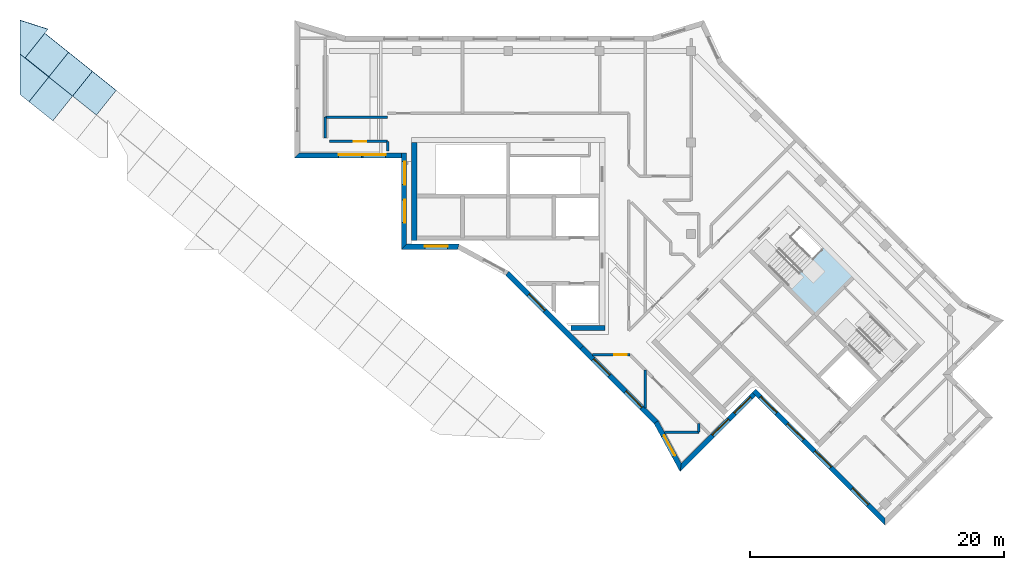
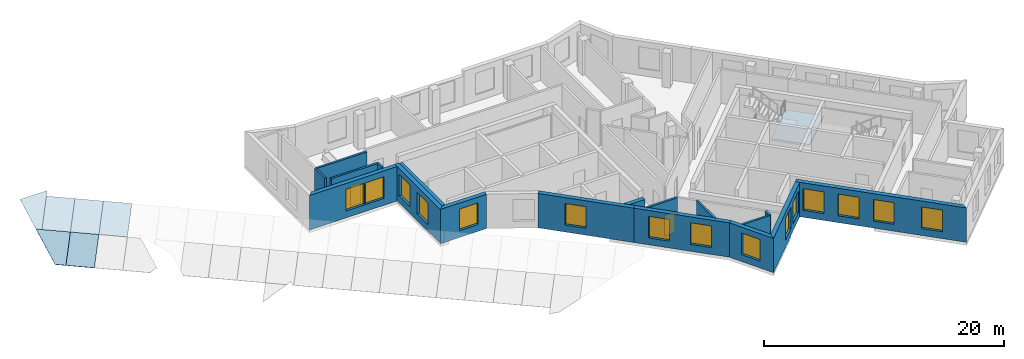
# One storey, part 2 of 8: 18 walls, 15 windows, 6 plates, 2 doors, 1 slab, 17 openings, 1 element without a shape of its own.
"""IFC4 building model written with IfcOpenShell, lengths in metres."""

from ifc_helpers import new_model, si_unit, direction, frame, frame_2d, origin, place, context, subcontext, project, spatial, polyline, rectangle, outline, extrude, material, layer, layer_set, type_object, element, fill, aggregate, save


model = new_model("IFC4")

# Units and contexts
model_context = context("Model", 3, precision=1e-05, world=origin(), true_north=direction((0.0, 1.0)))
body_context = subcontext(model_context, "Body", "Model", "MODEL_VIEW")
ifc_project = project(units=[si_unit("LENGTHUNIT", "METRE"), si_unit("AREAUNIT", "SQUARE_METRE"), si_unit("VOLUMEUNIT", "CUBIC_METRE"), si_unit("PLANEANGLEUNIT", "RADIAN"), si_unit("MASSUNIT", "GRAM", prefix="KILO")], contexts=[model_context])

# Site, building, storey
site_placement = place(None, origin())
site = spatial("IfcSite", under=ifc_project, at=site_placement, CompositionType="ELEMENT")
building_placement = place(site_placement, origin())
building = spatial("IfcBuilding", under=site, at=building_placement, Name="Windrow Commons", CompositionType="ELEMENT")
storey_placement = place(building_placement, frame((0.0, 0.0, 298.2)))
storey = spatial("IfcBuildingStorey", under=building, at=storey_placement, Name="L81", CompositionType="ELEMENT", Elevation=298.2)

# Stair, slab
ifc_material_1 = material(Name="Concrete C40/50", Category="concrete")
stair_type = type_object("IfcStairType", Name="Core stair", PredefinedType="HALF_TURN_STAIR", material=ifc_material_1)
stair_placement = place(storey_placement, origin())
stair = element("IfcStair", 1, at=stair_placement, inside=storey, type_object=stair_type, Name="L81 Exit stair B1 core B", PredefinedType="HALF_TURN_STAIR")
ifc_material_2 = material(Name="Concrete C40/50", Category="concrete")
ifc_layer_1 = layer(ifc_material_2, 0.2)
ifc_layer_set_1 = layer_set([ifc_layer_1], Name="Core stair landing")
slab_type = type_object("IfcSlabType", Name="Core stair landing", PredefinedType="LANDING", material=ifc_layer_set_1)
slab_placement = place(storey_placement, frame((0.0, 0.0, 1.7)))
slab = element("IfcSlab", 2, at=slab_placement, type_object=slab_type, Name="ST-B1 landing 1", PredefinedType="LANDING", context=body_context, shape_type="SweptSolid", body=[
    extrude(outline(polyline([(86.5539, 53.4738), (88.8874, 51.1403), (91.9986, 54.2516), (89.6652, 56.5851), (86.5539, 53.4738)])), origin(), (0.0, 0.0, 1.0), 0.2),
])
aggregate(stair, [slab])

# Plates
ifc_material_3 = material(Name="Laminated glass in aluminium frame", Category="aluminium")
ifc_layer_2 = layer(ifc_material_3, 0.04)
ifc_layer_set_2 = layer_set([ifc_layer_2], Name="Crown glazing panel 2400x3000")
plate_type = type_object("IfcPlateType", Name="Crown glazing panel 2400x3000", PredefinedType="SHEET", material=ifc_layer_set_2)
plate_1_placement = place(storey_placement, frame((28.954, 66.519, 1.0305), z_axis=(-0.3493165936, -0.4366690422, 0.8290344173), x_axis=(-0.7808850696, 0.6246747219, 0.0)))
element("IfcPlate", 3, at=plate_1_placement, inside=storey, type_object=plate_type, Name="Crown glazing 36", PredefinedType="SHEET", context=body_context, shape_type="SweptSolid", body=[
    extrude(outline(polyline([(0.0, 0.0), (2.4, 0.0), (2.3999, -3.0), (-0.0001, -3.0), (0.0, 0.0)])), origin(), (0.0, 0.0, -1.0), 0.04),
])
plate_2_placement = place(storey_placement, frame((32.3818, 66.9618, 2.7081), z_axis=(-0.349330801, -0.4366576763, 0.8290344174), x_axis=(-0.7808647444, 0.6247001288, 0.0)))
element("IfcPlate", 4, at=plate_2_placement, inside=storey, type_object=plate_type, Name="Crown glazing 54", PredefinedType="SHEET", context=body_context, shape_type="SweptSolid", body=[
    extrude(outline(polyline([(0.0, 0.0), (2.4, 0.0), (2.4, -3.0), (0.0, -3.0), (0.0, 0.0)])), origin(), (0.0, 0.0, -1.0), 0.04),
])
plate_3_placement = place(storey_placement, frame((30.5077, 68.4611, 2.7081), z_axis=(-0.3493199284, -0.4366586479, 0.829038487), x_axis=(-0.7808818918, 0.6246786943, -7.5419e-06)))
element("IfcPlate", 5, at=plate_3_placement, inside=storey, type_object=plate_type, Name="Crown glazing 55", PredefinedType="SHEET", context=body_context, shape_type="SweptSolid", body=[
    extrude(outline(polyline([(0.0, 0.0), (2.4, 0.0), (2.4, -3.0001), (-0.0001, -3.0), (0.0, 0.0)])), origin(), (0.0, 0.0, -1.0), 0.04),
])
plate_4_placement = place(storey_placement, frame((28.6336, 69.9603, 2.7081), z_axis=(-0.3493199284, -0.4366586479, 0.829038487), x_axis=(-0.7808679222, 0.6246961565, 7.5417e-06)))
element("IfcPlate", 6, at=plate_4_placement, inside=storey, type_object=plate_type, Name="Crown glazing 56", PredefinedType="SHEET", context=body_context, shape_type="SweptSolid", body=[
    extrude(outline(polyline([(0.0, 0.0), (2.4, 0.0), (2.4, -3.0), (0.0001, -3.0001), (0.0, 0.0)])), origin(), (0.0, 0.0, -1.0), 0.04),
])
plate_5_placement = place(storey_placement, frame((27.0799, 68.0182, 1.0305), z_axis=(-0.3493411225, -0.4366580839, 0.8290298534), x_axis=(-0.7808354338, 0.6247367645, 2.22327e-05)))
element("IfcPlate", 7, at=plate_5_placement, inside=storey, type_object=plate_type, Name="Crown glazing 342", PredefinedType="SHEET", context=body_context, shape_type="SweptSolid", body=[
    extrude(outline(polyline([(0.0, 0.0), (0.913, 0.0), (2.9028, -2.9999), (0.0002, -3.0), (0.0, 0.0)])), origin(), (0.0, 0.0, -1.0), 0.04),
])
plate_6_placement = place(storey_placement, frame((26.7595, 71.4596, 2.7081), z_axis=(-0.3493444923, -0.4366523426, 0.8290314574), x_axis=(-0.7808626395, 0.6247027597, -1.46422e-05)))
element("IfcPlate", 8, at=plate_6_placement, inside=storey, type_object=plate_type, Name="Crown glazing 344", PredefinedType="SHEET", context=body_context, shape_type="SweptSolid", body=[
    extrude(outline(polyline([(0.0, 0.0), (0.5026, 0.0), (2.164, -2.5049), (0.0, -3.5007), (0.0, 0.0)])), origin(), (0.0, 0.0, -1.0), 0.04),
])

# Wall
ifc_material_4 = material(Name="Blockwork partition", Category="masonry")
ifc_layer_3 = layer(ifc_material_4, 0.2)
ifc_layer_set_3 = layer_set([ifc_layer_3], Name="IW-CORRIDOR-200")
wall_type_1 = type_object("IfcWallType", Name="IW-CORRIDOR-200", PredefinedType="PARTITIONING", material=ifc_layer_set_3)
wall_1_placement = place(storey_placement, frame((50.4, 66.8, 0.0), z_axis=(0.0, 0.0, 1.0), x_axis=(1.0, 0.0, 0.0)))
element("IfcWall", 9, at=wall_1_placement, inside=storey, type_object=wall_type_1, Name="W-L81-W014", PredefinedType="PARTITIONING", context=body_context, shape_type="SweptSolid", body=[
    extrude(rectangle(XDim=4.9, YDim=0.2, at=frame_2d((2.45, 0.0))), origin(), (0.0, 0.0, 1.0), 3.5),
])

# Wall, opening, door
wall_2_placement = place(storey_placement, frame((50.75, 64.9, 0.0), z_axis=(0.0, 0.0, 1.0), x_axis=(1.0, 0.0, 0.0)))
wall_2 = element("IfcWall", 10, at=wall_2_placement, inside=storey, type_object=wall_type_1, Name="W-L81-W019", PredefinedType="PARTITIONING", context=body_context, shape_type="SweptSolid", body=[
    extrude(rectangle(XDim=4.55, YDim=0.2, at=frame_2d((2.275, 0.0))), origin(), (0.0, 0.0, 1.0), 3.5),
])
opening_1_placement = place(wall_2_placement, frame((1.8804, 0.0, 0.0)))
opening_1 = element("IfcOpeningElement", 11, at=opening_1_placement, cuts=wall_2, Name="Opening D410F", PredefinedType="OPENING", context=body_context, shape_type="SweptSolid", body=[
    extrude(rectangle(XDim=1.0, YDim=2.1, at=frame_2d((0.5, 1.05))), frame((0.0, 0.11, 0.0), z_axis=(0.0, -1.0, 0.0), x_axis=(1.0, 0.0, 0.0)), (0.0, 0.0, 1.0), 0.22),
])
ifc_material_5 = material(Name="Timber door leaf", Category="wood")
door_type = type_object("IfcDoorType", Name="DT-SERVICE-1000", OperationType="SINGLE_SWING_LEFT", PredefinedType="DOOR", material=ifc_material_5)
door_1_placement = place(opening_1_placement, origin())
door_1 = element("IfcDoor", 12, at=door_1_placement, inside=storey, type_object=door_type, Name="D-L81-D004", OperationType="SINGLE_SWING_RIGHT", OverallHeight=2.1, OverallWidth=1.0, PredefinedType="DOOR", context=body_context, shape_type="SweptSolid", body=[
    extrude(rectangle(XDim=1.0, YDim=2.1, at=frame_2d((0.5, 1.05))), frame((0.0, 0.025, 0.0), z_axis=(0.0, -1.0, 0.0), x_axis=(1.0, 0.0, 0.0)), (0.0, 0.0, 1.0), 0.05),
])
fill(opening_1, door_1)

# Walls
wall_3_placement = place(storey_placement, frame((50.4, 65.15, 0.0), z_axis=(0.0, 0.0, 1.0), x_axis=(0.0, 1.0, 0.0)))
element("IfcWall", 13, at=wall_3_placement, inside=storey, type_object=wall_type_1, Name="W-L81-W041", PredefinedType="PARTITIONING", context=body_context, shape_type="SweptSolid", body=[
    extrude(rectangle(XDim=1.65, YDim=0.2, at=frame_2d((0.825, 0.0))), origin(), (0.0, 0.0, 1.0), 3.5),
])
wall_4_placement = place(storey_placement, frame((55.3, 64.15, 0.0), z_axis=(0.0, 0.0, 1.0), x_axis=(0.0, 1.0, 0.0)))
element("IfcWall", 14, at=wall_4_placement, inside=storey, type_object=wall_type_1, Name="W-L81-W045", PredefinedType="PARTITIONING", context=body_context, shape_type="SweptSolid", body=[
    extrude(rectangle(XDim=0.75, YDim=0.2, at=frame_2d((0.375, 0.0))), origin(), (0.0, 0.0, 1.0), 3.5),
])

# Wall, opening, door
wall_5_placement = place(storey_placement, frame((71.4216, 48.1, 0.0), z_axis=(0.0, 0.0, 1.0), x_axis=(1.0, 0.0, 0.0)))
wall_5 = element("IfcWall", 15, at=wall_5_placement, inside=storey, type_object=wall_type_1, Name="W-L81-W026", PredefinedType="PARTITIONING", context=body_context, shape_type="SweptSolid", body=[
    extrude(outline(polyline([(0.0, -0.1), (2.9704, -0.1), (2.9704, 0.1), (0.0, 0.1), (0.0, -0.1)])), origin(), (0.0, 0.0, 1.0), 3.5),
])
opening_2_placement = place(wall_5_placement, frame((1.7096, 0.0, 0.0)))
opening_2 = element("IfcOpeningElement", 16, at=opening_2_placement, cuts=wall_5, Name="Opening D410F", PredefinedType="OPENING", context=body_context, shape_type="SweptSolid", body=[
    extrude(rectangle(XDim=1.0, YDim=2.1, at=frame_2d((0.5, 1.05))), frame((0.0, 0.11, 0.0), z_axis=(0.0, -1.0, 0.0), x_axis=(1.0, 0.0, 0.0)), (0.0, 0.0, 1.0), 0.22),
])
door_2_placement = place(opening_2_placement, origin())
door_2 = element("IfcDoor", 17, at=door_2_placement, inside=storey, type_object=door_type, Name="D-L81-D000", OperationType="SINGLE_SWING_LEFT", OverallHeight=2.1, OverallWidth=1.0, PredefinedType="DOOR", context=body_context, shape_type="SweptSolid", body=[
    extrude(rectangle(XDim=1.0, YDim=2.1, at=frame_2d((0.5, 1.05))), frame((0.0, 0.025, 0.0), z_axis=(0.0, -1.0, 0.0), x_axis=(1.0, 0.0, 0.0)), (0.0, 0.0, 1.0), 0.05),
])
fill(opening_2, door_2)

# Walls
ifc_material_6 = material(Name="Blockwork partition", Category="masonry")
ifc_layer_4 = layer(ifc_material_6, 0.2)
ifc_layer_set_4 = layer_set([ifc_layer_4], Name="IW-PARTY-200")
wall_type_2 = type_object("IfcWallType", Name="IW-PARTY-200", PredefinedType="PARTITIONING", material=ifc_layer_set_4)
wall_6_placement = place(storey_placement, frame((77.1008, 42.0, 0.0), z_axis=(0.0, 0.0, 1.0), x_axis=(1.0, 0.0, 0.0)))
element("IfcWall", 18, at=wall_6_placement, inside=storey, type_object=wall_type_2, Name="W-L81-W028", PredefinedType="PARTITIONING", context=body_context, shape_type="SweptSolid", body=[
    extrude(rectangle(XDim=2.6992, YDim=0.2, at=frame_2d((1.3496, 0.0))), origin(), (0.0, 0.0, 1.0), 3.5),
])
wall_7_placement = place(storey_placement, frame((79.8, 42.0, 0.0), z_axis=(0.0, 0.0, 1.0), x_axis=(0.0, 1.0, 0.0)))
element("IfcWall", 19, at=wall_7_placement, inside=storey, type_object=wall_type_2, Name="W-L81-W049", PredefinedType="PARTITIONING", context=body_context, shape_type="SweptSolid", body=[
    extrude(rectangle(XDim=0.692, YDim=0.2, at=frame_2d((0.346, 0.0))), origin(), (0.0, 0.0, 1.0), 3.5),
])
wall_8_placement = place(storey_placement, frame((75.6, 43.9216, 0.0), z_axis=(0.0, 0.0, 1.0), x_axis=(0.0, 1.0, 0.0)))
element("IfcWall", 20, at=wall_8_placement, inside=storey, type_object=wall_type_2, Name="W-L81-W025", PredefinedType="PARTITIONING", context=body_context, shape_type="SweptSolid", body=[
    extrude(outline(polyline([(0.0, -0.1), (2.9704, -0.1), (2.9704, 0.1), (0.0, 0.1), (0.0, -0.1)])), origin(), (0.0, 0.0, 1.0), 3.5),
])
ifc_material_7 = material(Name="Concrete C40/50", Category="concrete")
ifc_layer_5 = layer(ifc_material_7, 0.4)
ifc_layer_set_5 = layer_set([ifc_layer_5], Name="RC CORE WALL 400 C40/50")
wall_type_3 = type_object("IfcWallType", Name="RC CORE WALL 400 C40/50", PredefinedType="SHEAR", material=ifc_layer_set_5)
wall_9_placement = place(storey_placement, frame((69.7458, 50.2, -0.3), z_axis=(0.0, 0.0, 1.0), x_axis=(1.0, 0.0, 0.0)))
element("IfcWall", 21, at=wall_9_placement, inside=storey, type_object=wall_type_3, Name="Core A wall outer-S", PredefinedType="SHEAR", context=body_context, shape_type="SweptSolid", body=[
    extrude(outline(polyline([(0.0, 0.0), (2.6542, 0.0), (2.6542, 3.1), (0.0, 3.1), (0.0, 0.0)])), frame((0.0, 0.2, 0.0), z_axis=(0.0, -1.0, 0.0), x_axis=(1.0, 0.0, 0.0)), (0.0, 0.0, 1.0), 0.4),
])
wall_10_placement = place(storey_placement, frame((57.4, 57.1, -0.3), z_axis=(0.0, 0.0, 1.0), x_axis=(0.0, 1.0, 0.0)))
element("IfcWall", 22, at=wall_10_placement, inside=storey, type_object=wall_type_3, Name="Core A wall outer-W", PredefinedType="SHEAR", context=body_context, shape_type="SweptSolid", body=[
    extrude(outline(polyline([(0.0, 0.0), (7.7, 0.0), (7.7, 3.1), (0.0, 3.1), (0.0, 0.0)])), frame((0.0, 0.2, 0.0), z_axis=(0.0, -1.0, 0.0), x_axis=(1.0, 0.0, 0.0)), (0.0, 0.0, 1.0), 0.4),
])

# Wall, openings, windows
ifc_material_8 = material(Name="Standing seam zinc cladding on insulated masonry backing", Category="masonry")
ifc_layer_6 = layer(ifc_material_8, 0.4)
ifc_layer_set_6 = layer_set([ifc_layer_6], Name="Zinc clad crown wall 400")
wall_type_4 = type_object("IfcWallType", Name="Zinc clad crown wall 400", PredefinedType="SOLIDWALL", material=ifc_layer_set_6)
wall_11_placement = place(storey_placement, frame((48.167, 63.8, 0.0), z_axis=(0.0, 0.0, 1.0), x_axis=(1.0, 0.0, 0.0)))
wall_11 = element("IfcWall", 23, at=wall_11_placement, inside=storey, type_object=wall_type_4, Name="Brick facade wall L81 15", PredefinedType="SOLIDWALL", context=body_context, shape_type="SweptSolid", body=[
    extrude(outline(polyline([(-0.2, -0.2), (8.233, -0.2), (8.233, 0.2), (0.2, 0.2), (-0.2, -0.2)])), origin(), (0.0, 0.0, 1.0), 3.5),
])
opening_3_placement = place(wall_11_placement, frame((3.283, 0.0, 0.7)))
opening_3 = element("IfcOpeningElement", 24, at=opening_3_placement, cuts=wall_11, Name="Opening W6", PredefinedType="OPENING", context=body_context, shape_type="SweptSolid", body=[
    extrude(rectangle(XDim=1.8, YDim=2.2, at=frame_2d((0.9, 1.1))), frame((0.0, 0.21, 0.0), z_axis=(0.0, -1.0, 0.0), x_axis=(1.0, 0.0, 0.0)), (0.0, 0.0, 1.0), 0.42),
])
opening_4_placement = place(wall_11_placement, frame((5.183, 0.0, 0.7)))
opening_4 = element("IfcOpeningElement", 25, at=opening_4_placement, cuts=wall_11, Name="Opening W6", PredefinedType="OPENING", context=body_context, shape_type="SweptSolid", body=[
    extrude(rectangle(XDim=1.8, YDim=2.2, at=frame_2d((0.9, 1.1))), frame((0.0, 0.21, 0.0), z_axis=(0.0, -1.0, 0.0), x_axis=(1.0, 0.0, 0.0)), (0.0, 0.0, 1.0), 0.42),
])
ifc_material_9 = material(Name="Clear float glass in anodised aluminium frame", Category="aluminium")
window_type = type_object("IfcWindowType", Name="Window W6 crown 1800x2200", PartitioningType="SINGLE_PANEL", PredefinedType="WINDOW", material=ifc_material_9)
window_1_placement = place(opening_3_placement, origin())
window_1 = element("IfcWindow", 26, at=window_1_placement, inside=storey, type_object=window_type, Name="Window L81 15.1", OverallHeight=2.2, OverallWidth=1.8, PartitioningType="SINGLE_PANEL", PredefinedType="WINDOW", context=body_context, shape_type="SweptSolid", body=[
    extrude(rectangle(XDim=1.8, YDim=2.2, at=frame_2d((0.9, 1.1))), frame((0.0, 0.08, 0.0), z_axis=(0.0, -1.0, 0.0), x_axis=(1.0, 0.0, 0.0)), (0.0, 0.0, 1.0), 0.06),
])
fill(opening_3, window_1)
window_2_placement = place(opening_4_placement, origin())
window_2 = element("IfcWindow", 27, at=window_2_placement, inside=storey, type_object=window_type, Name="Window L81 15.2", OverallHeight=2.2, OverallWidth=1.8, PartitioningType="SINGLE_PANEL", PredefinedType="WINDOW", context=body_context, shape_type="SweptSolid", body=[
    extrude(rectangle(XDim=1.8, YDim=2.2, at=frame_2d((0.9, 1.1))), frame((0.0, 0.08, 0.0), z_axis=(0.0, -1.0, 0.0), x_axis=(1.0, 0.0, 0.0)), (0.0, 0.0, 1.0), 0.06),
])
fill(opening_4, window_2)

wall_12_placement = place(storey_placement, frame((56.6, 63.8, 0.0), z_axis=(0.0, 0.0, 1.0), x_axis=(0.0, -1.0, 0.0)))
wall_12 = element("IfcWall", 28, at=wall_12_placement, inside=storey, type_object=wall_type_4, Name="Brick facade wall L81 16", PredefinedType="SOLIDWALL", context=body_context, shape_type="SweptSolid", body=[
    extrude(outline(polyline([(-0.2, -0.2), (7.4, -0.2), (7.0, 0.2), (-0.2, 0.2), (-0.2, -0.2)])), origin(), (0.0, 0.0, 1.0), 3.5),
])
opening_5_placement = place(wall_12_placement, frame((0.5, 0.0, 0.7)))
opening_5 = element("IfcOpeningElement", 29, at=opening_5_placement, cuts=wall_12, Name="Opening W6", PredefinedType="OPENING", context=body_context, shape_type="SweptSolid", body=[
    extrude(rectangle(XDim=1.8, YDim=2.2, at=frame_2d((0.9, 1.1))), frame((0.0, 0.21, 0.0), z_axis=(0.0, -1.0, 0.0), x_axis=(1.0, 0.0, 0.0)), (0.0, 0.0, 1.0), 0.42),
])
opening_6_placement = place(wall_12_placement, frame((3.5, 0.0, 0.7)))
opening_6 = element("IfcOpeningElement", 30, at=opening_6_placement, cuts=wall_12, Name="Opening W6", PredefinedType="OPENING", context=body_context, shape_type="SweptSolid", body=[
    extrude(rectangle(XDim=1.8, YDim=2.2, at=frame_2d((0.9, 1.1))), frame((0.0, 0.21, 0.0), z_axis=(0.0, -1.0, 0.0), x_axis=(1.0, 0.0, 0.0)), (0.0, 0.0, 1.0), 0.42),
])
window_3_placement = place(opening_5_placement, origin())
window_3 = element("IfcWindow", 31, at=window_3_placement, inside=storey, type_object=window_type, Name="Window L81 16.1", OverallHeight=2.2, OverallWidth=1.8, PartitioningType="SINGLE_PANEL", PredefinedType="WINDOW", context=body_context, shape_type="SweptSolid", body=[
    extrude(rectangle(XDim=1.8, YDim=2.2, at=frame_2d((0.9, 1.1))), frame((0.0, 0.08, 0.0), z_axis=(0.0, -1.0, 0.0), x_axis=(1.0, 0.0, 0.0)), (0.0, 0.0, 1.0), 0.06),
])
fill(opening_5, window_3)
window_4_placement = place(opening_6_placement, origin())
window_4 = element("IfcWindow", 32, at=window_4_placement, inside=storey, type_object=window_type, Name="Window L81 16.2", OverallHeight=2.2, OverallWidth=1.8, PartitioningType="SINGLE_PANEL", PredefinedType="WINDOW", context=body_context, shape_type="SweptSolid", body=[
    extrude(rectangle(XDim=1.8, YDim=2.2, at=frame_2d((0.9, 1.1))), frame((0.0, 0.08, 0.0), z_axis=(0.0, -1.0, 0.0), x_axis=(1.0, 0.0, 0.0)), (0.0, 0.0, 1.0), 0.06),
])
fill(opening_6, window_4)

# Wall, opening, window
wall_13_placement = place(storey_placement, frame((56.6, 56.6, 0.0), z_axis=(0.0, 0.0, 1.0), x_axis=(1.0, 0.0, 0.0)))
wall_13 = element("IfcWall", 33, at=wall_13_placement, inside=storey, type_object=wall_type_4, Name="Brick facade wall L81 17", PredefinedType="SOLIDWALL", context=body_context, shape_type="SweptSolid", body=[
    extrude(outline(polyline([(-0.2, -0.2), (4.2164, -0.2), (4.3177, 0.2), (0.2, 0.2), (-0.2, -0.2)])), origin(), (0.0, 0.0, 1.0), 3.5),
])
opening_7_placement = place(wall_13_placement, frame((1.6335, 0.0, 0.7)))
opening_7 = element("IfcOpeningElement", 34, at=opening_7_placement, cuts=wall_13, Name="Opening W6", PredefinedType="OPENING", context=body_context, shape_type="SweptSolid", body=[
    extrude(rectangle(XDim=1.8, YDim=2.2, at=frame_2d((0.9, 1.1))), frame((0.0, 0.21, 0.0), z_axis=(0.0, -1.0, 0.0), x_axis=(1.0, 0.0, 0.0)), (0.0, 0.0, 1.0), 0.42),
])
window_5_placement = place(opening_7_placement, origin())
window_5 = element("IfcWindow", 35, at=window_5_placement, inside=storey, type_object=window_type, Name="Window L81 17.1", OverallHeight=2.2, OverallWidth=1.8, PartitioningType="SINGLE_PANEL", PredefinedType="WINDOW", context=body_context, shape_type="SweptSolid", body=[
    extrude(rectangle(XDim=1.8, YDim=2.2, at=frame_2d((0.9, 1.1))), frame((0.0, 0.08, 0.0), z_axis=(0.0, -1.0, 0.0), x_axis=(1.0, 0.0, 0.0)), (0.0, 0.0, 1.0), 0.06),
])
fill(opening_7, window_5)

wall_14_placement = place(storey_placement, frame((64.7259, 54.5128, 0.0), z_axis=(0.0, 0.0, 1.0), x_axis=(0.7071067812, -0.7071067812, 0.0)))
wall_14 = element("IfcWall", 36, at=wall_14_placement, inside=storey, type_object=wall_type_4, Name="Brick facade wall L81 19", PredefinedType="SOLIDWALL", context=body_context, shape_type="SweptSolid", body=[
    extrude(outline(polyline([(0.0292, -0.2), (8.2853, -0.2), (8.2853, 0.2), (-0.0292, 0.2), (0.0292, -0.2)])), origin(), (0.0, 0.0, 1.0), 3.5),
])
opening_8_placement = place(wall_14_placement, frame((2.3694, 0.0, 0.7)))
opening_8 = element("IfcOpeningElement", 37, at=opening_8_placement, cuts=wall_14, Name="Opening W6", PredefinedType="OPENING", context=body_context, shape_type="SweptSolid", body=[
    extrude(rectangle(XDim=1.8, YDim=2.2, at=frame_2d((0.9, 1.1))), frame((0.0, 0.21, 0.0), z_axis=(0.0, -1.0, 0.0), x_axis=(1.0, 0.0, 0.0)), (0.0, 0.0, 1.0), 0.42),
])
window_6_placement = place(opening_8_placement, origin())
window_6 = element("IfcWindow", 38, at=window_6_placement, inside=storey, type_object=window_type, Name="Window L81 19.1", OverallHeight=2.2, OverallWidth=1.8, PartitioningType="SINGLE_PANEL", PredefinedType="WINDOW", context=body_context, shape_type="SweptSolid", body=[
    extrude(rectangle(XDim=1.8, YDim=2.2, at=frame_2d((0.9, 1.1))), frame((0.0, 0.08, 0.0), z_axis=(0.0, -1.0, 0.0), x_axis=(1.0, 0.0, 0.0)), (0.0, 0.0, 1.0), 0.06),
])
fill(opening_8, window_6)

# Wall, openings, windows
wall_15_placement = place(storey_placement, frame((70.5845, 48.6542, 0.0), z_axis=(0.0, 0.0, 1.0), x_axis=(0.707112816, -0.7071007463, 0.0)))
wall_15 = element("IfcWall", 39, at=wall_15_placement, inside=storey, type_object=wall_type_4, Name="Brick facade wall L81 20", PredefinedType="SOLIDWALL", context=body_context, shape_type="SweptSolid", body=[
    extrude(outline(polyline([(0.0, -0.2), (8.2561, -0.2), (8.3144, 0.2), (0.0, 0.2), (0.0, -0.2)])), origin(), (0.0, 0.0, 1.0), 3.5),
])
opening_9_placement = place(wall_15_placement, frame((1.2841, 0.0, 0.7)))
opening_9 = element("IfcOpeningElement", 40, at=opening_9_placement, cuts=wall_15, Name="Opening W6", PredefinedType="OPENING", context=body_context, shape_type="SweptSolid", body=[
    extrude(rectangle(XDim=1.8, YDim=2.2, at=frame_2d((0.9, 1.1))), frame((0.0, 0.21, 0.0), z_axis=(0.0, -1.0, 0.0), x_axis=(1.0, 0.0, 0.0)), (0.0, 0.0, 1.0), 0.42),
])
opening_10_placement = place(wall_15_placement, frame((4.8841, 0.0, 0.7)))
opening_10 = element("IfcOpeningElement", 41, at=opening_10_placement, cuts=wall_15, Name="Opening W6", PredefinedType="OPENING", context=body_context, shape_type="SweptSolid", body=[
    extrude(rectangle(XDim=1.8, YDim=2.2, at=frame_2d((0.9, 1.1))), frame((0.0, 0.21, 0.0), z_axis=(0.0, -1.0, 0.0), x_axis=(1.0, 0.0, 0.0)), (0.0, 0.0, 1.0), 0.42),
])
window_7_placement = place(opening_9_placement, origin())
window_7 = element("IfcWindow", 42, at=window_7_placement, inside=storey, type_object=window_type, Name="Window L81 20.1", OverallHeight=2.2, OverallWidth=1.8, PartitioningType="SINGLE_PANEL", PredefinedType="WINDOW", context=body_context, shape_type="SweptSolid", body=[
    extrude(rectangle(XDim=1.8, YDim=2.2, at=frame_2d((0.9, 1.1))), frame((0.0, 0.08, 0.0), z_axis=(0.0, -1.0, 0.0), x_axis=(1.0, 0.0, 0.0)), (0.0, 0.0, 1.0), 0.06),
])
fill(opening_9, window_7)
window_8_placement = place(opening_10_placement, origin())
window_8 = element("IfcWindow", 43, at=window_8_placement, inside=storey, type_object=window_type, Name="Window L81 20.2", OverallHeight=2.2, OverallWidth=1.8, PartitioningType="SINGLE_PANEL", PredefinedType="WINDOW", context=body_context, shape_type="SweptSolid", body=[
    extrude(rectangle(XDim=1.8, YDim=2.2, at=frame_2d((0.9, 1.1))), frame((0.0, 0.08, 0.0), z_axis=(0.0, -1.0, 0.0), x_axis=(1.0, 0.0, 0.0)), (0.0, 0.0, 1.0), 0.06),
])
fill(opening_10, window_8)

# Wall, opening, window
wall_16_placement = place(storey_placement, frame((76.4431, 42.7957, 0.0), z_axis=(0.0, 0.0, 1.0), x_axis=(0.4757319228, -0.8795903237, 0.0)))
wall_16 = element("IfcWall", 44, at=wall_16_placement, inside=storey, type_object=wall_type_4, Name="Brick facade wall L81 21", PredefinedType="SOLIDWALL", context=body_context, shape_type="SweptSolid", body=[
    extrude(outline(polyline([(0.0292, -0.2), (4.3366, -0.2), (3.8, 0.2), (-0.0292, 0.2), (0.0292, -0.2)])), origin(), (0.0, 0.0, 1.0), 3.5),
])
opening_11_placement = place(wall_16_placement, frame((1.2124, 0.0, 0.7)))
opening_11 = element("IfcOpeningElement", 45, at=opening_11_placement, cuts=wall_16, Name="Opening W6", PredefinedType="OPENING", context=body_context, shape_type="SweptSolid", body=[
    extrude(rectangle(XDim=1.8, YDim=2.2, at=frame_2d((0.9, 1.1))), frame((0.0, 0.21, 0.0), z_axis=(0.0, -1.0, 0.0), x_axis=(1.0, 0.0, 0.0)), (0.0, 0.0, 1.0), 0.42),
])
window_9_placement = place(opening_11_placement, origin())
window_9 = element("IfcWindow", 46, at=window_9_placement, inside=storey, type_object=window_type, Name="Window L81 21.1", OverallHeight=2.2, OverallWidth=1.8, PartitioningType="SINGLE_PANEL", PredefinedType="WINDOW", context=body_context, shape_type="SweptSolid", body=[
    extrude(rectangle(XDim=1.8, YDim=2.2, at=frame_2d((0.9, 1.1))), frame((0.0, 0.08, 0.0), z_axis=(0.0, -1.0, 0.0), x_axis=(1.0, 0.0, 0.0)), (0.0, 0.0, 1.0), 0.06),
])
fill(opening_11, window_9)

# Wall, openings, windows
wall_17_placement = place(storey_placement, frame((78.3785, 39.2173, 0.0), z_axis=(0.0, 0.0, 1.0), x_axis=(0.7071127608, 0.7071008016, 0.0)))
wall_17 = element("IfcWall", 47, at=wall_17_placement, inside=storey, type_object=wall_type_4, Name="Brick facade wall L81 22", PredefinedType="SOLIDWALL", context=body_context, shape_type="SweptSolid", body=[
    extrude(outline(polyline([(-0.2683, -0.2), (8.1618, -0.2), (8.1618, 0.2), (0.2683, 0.2), (-0.2683, -0.2)])), origin(), (0.0, 0.0, 1.0), 3.5),
])
opening_12_placement = place(wall_17_placement, frame((3.5617, 0.0, 0.7)))
opening_12 = element("IfcOpeningElement", 48, at=opening_12_placement, cuts=wall_17, Name="Opening W6", PredefinedType="OPENING", context=body_context, shape_type="SweptSolid", body=[
    extrude(rectangle(XDim=1.8, YDim=2.2, at=frame_2d((0.9, 1.1))), frame((0.0, 0.21, 0.0), z_axis=(0.0, -1.0, 0.0), x_axis=(1.0, 0.0, 0.0)), (0.0, 0.0, 1.0), 0.42),
])
opening_13_placement = place(wall_17_placement, frame((6.0118, 0.0, 0.7)))
opening_13 = element("IfcOpeningElement", 49, at=opening_13_placement, cuts=wall_17, Name="Opening W6", PredefinedType="OPENING", context=body_context, shape_type="SweptSolid", body=[
    extrude(rectangle(XDim=1.8, YDim=2.2, at=frame_2d((0.9, 1.1))), frame((0.0, 0.21, 0.0), z_axis=(0.0, -1.0, 0.0), x_axis=(1.0, 0.0, 0.0)), (0.0, 0.0, 1.0), 0.42),
])
window_10_placement = place(opening_12_placement, origin())
window_10 = element("IfcWindow", 50, at=window_10_placement, inside=storey, type_object=window_type, Name="Window L81 22.1", OverallHeight=2.2, OverallWidth=1.8, PartitioningType="SINGLE_PANEL", PredefinedType="WINDOW", context=body_context, shape_type="SweptSolid", body=[
    extrude(rectangle(XDim=1.8, YDim=2.2, at=frame_2d((0.9, 1.1))), frame((0.0, 0.08, 0.0), z_axis=(0.0, -1.0, 0.0), x_axis=(1.0, 0.0, 0.0)), (0.0, 0.0, 1.0), 0.06),
])
fill(opening_12, window_10)
window_11_placement = place(opening_13_placement, origin())
window_11 = element("IfcWindow", 51, at=window_11_placement, inside=storey, type_object=window_type, Name="Window L81 22.2", OverallHeight=2.2, OverallWidth=1.8, PartitioningType="SINGLE_PANEL", PredefinedType="WINDOW", context=body_context, shape_type="SweptSolid", body=[
    extrude(rectangle(XDim=1.8, YDim=2.2, at=frame_2d((0.9, 1.1))), frame((0.0, 0.08, 0.0), z_axis=(0.0, -1.0, 0.0), x_axis=(1.0, 0.0, 0.0)), (0.0, 0.0, 1.0), 0.06),
])
fill(opening_13, window_11)

wall_18_placement = place(storey_placement, frame((84.2912, 45.1299, 0.0), z_axis=(0.0, 0.0, 1.0), x_axis=(0.7071067812, -0.7071067812, 0.0)))
wall_18 = element("IfcWall", 52, at=wall_18_placement, inside=storey, type_object=wall_type_4, Name="Brick facade wall L81 23", PredefinedType="SOLIDWALL", context=body_context, shape_type="SweptSolid", body=[
    extrude(outline(polyline([(-0.2, -0.2), (14.5999, -0.2), (14.1999, 0.2), (-0.2, 0.2), (-0.2, -0.2)])), origin(), (0.0, 0.0, 1.0), 3.5),
])
opening_14_placement = place(wall_18_placement, frame((0.5, 0.0, 0.7)))
opening_14 = element("IfcOpeningElement", 53, at=opening_14_placement, cuts=wall_18, Name="Opening W6", PredefinedType="OPENING", context=body_context, shape_type="SweptSolid", body=[
    extrude(rectangle(XDim=1.8, YDim=2.2, at=frame_2d((0.9, 1.1))), frame((0.0, 0.21, 0.0), z_axis=(0.0, -1.0, 0.0), x_axis=(1.0, 0.0, 0.0)), (0.0, 0.0, 1.0), 0.42),
])
opening_15_placement = place(wall_18_placement, frame((3.5, 0.0, 0.7)))
opening_15 = element("IfcOpeningElement", 54, at=opening_15_placement, cuts=wall_18, Name="Opening W6", PredefinedType="OPENING", context=body_context, shape_type="SweptSolid", body=[
    extrude(rectangle(XDim=1.8, YDim=2.2, at=frame_2d((0.9, 1.1))), frame((0.0, 0.21, 0.0), z_axis=(0.0, -1.0, 0.0), x_axis=(1.0, 0.0, 0.0)), (0.0, 0.0, 1.0), 0.42),
])
opening_16_placement = place(wall_18_placement, frame((6.55, 0.0, 0.7)))
opening_16 = element("IfcOpeningElement", 55, at=opening_16_placement, cuts=wall_18, Name="Opening W6", PredefinedType="OPENING", context=body_context, shape_type="SweptSolid", body=[
    extrude(rectangle(XDim=1.8, YDim=2.2, at=frame_2d((0.9, 1.1))), frame((0.0, 0.21, 0.0), z_axis=(0.0, -1.0, 0.0), x_axis=(1.0, 0.0, 0.0)), (0.0, 0.0, 1.0), 0.42),
])
opening_17_placement = place(wall_18_placement, frame((10.7, 0.0, 0.7)))
opening_17 = element("IfcOpeningElement", 56, at=opening_17_placement, cuts=wall_18, Name="Opening W6", PredefinedType="OPENING", context=body_context, shape_type="SweptSolid", body=[
    extrude(rectangle(XDim=1.8, YDim=2.2, at=frame_2d((0.9, 1.1))), frame((0.0, 0.21, 0.0), z_axis=(0.0, -1.0, 0.0), x_axis=(1.0, 0.0, 0.0)), (0.0, 0.0, 1.0), 0.42),
])
window_12_placement = place(opening_14_placement, origin())
window_12 = element("IfcWindow", 57, at=window_12_placement, inside=storey, type_object=window_type, Name="Window L81 23.1", OverallHeight=2.2, OverallWidth=1.8, PartitioningType="SINGLE_PANEL", PredefinedType="WINDOW", context=body_context, shape_type="SweptSolid", body=[
    extrude(rectangle(XDim=1.8, YDim=2.2, at=frame_2d((0.9, 1.1))), frame((0.0, 0.08, 0.0), z_axis=(0.0, -1.0, 0.0), x_axis=(1.0, 0.0, 0.0)), (0.0, 0.0, 1.0), 0.06),
])
fill(opening_14, window_12)
window_13_placement = place(opening_15_placement, origin())
window_13 = element("IfcWindow", 58, at=window_13_placement, inside=storey, type_object=window_type, Name="Window L81 23.2", OverallHeight=2.2, OverallWidth=1.8, PartitioningType="SINGLE_PANEL", PredefinedType="WINDOW", context=body_context, shape_type="SweptSolid", body=[
    extrude(rectangle(XDim=1.8, YDim=2.2, at=frame_2d((0.9, 1.1))), frame((0.0, 0.08, 0.0), z_axis=(0.0, -1.0, 0.0), x_axis=(1.0, 0.0, 0.0)), (0.0, 0.0, 1.0), 0.06),
])
fill(opening_15, window_13)
window_14_placement = place(opening_16_placement, origin())
window_14 = element("IfcWindow", 59, at=window_14_placement, inside=storey, type_object=window_type, Name="Window L81 23.3", OverallHeight=2.2, OverallWidth=1.8, PartitioningType="SINGLE_PANEL", PredefinedType="WINDOW", context=body_context, shape_type="SweptSolid", body=[
    extrude(rectangle(XDim=1.8, YDim=2.2, at=frame_2d((0.9, 1.1))), frame((0.0, 0.08, 0.0), z_axis=(0.0, -1.0, 0.0), x_axis=(1.0, 0.0, 0.0)), (0.0, 0.0, 1.0), 0.06),
])
fill(opening_16, window_14)
window_15_placement = place(opening_17_placement, origin())
window_15 = element("IfcWindow", 60, at=window_15_placement, inside=storey, type_object=window_type, Name="Window L81 23.4", OverallHeight=2.2, OverallWidth=1.8, PartitioningType="SINGLE_PANEL", PredefinedType="WINDOW", context=body_context, shape_type="SweptSolid", body=[
    extrude(rectangle(XDim=1.8, YDim=2.2, at=frame_2d((0.9, 1.1))), frame((0.0, 0.08, 0.0), z_axis=(0.0, -1.0, 0.0), x_axis=(1.0, 0.0, 0.0)), (0.0, 0.0, 1.0), 0.06),
])
fill(opening_17, window_15)

save(model, "model.ifc")
